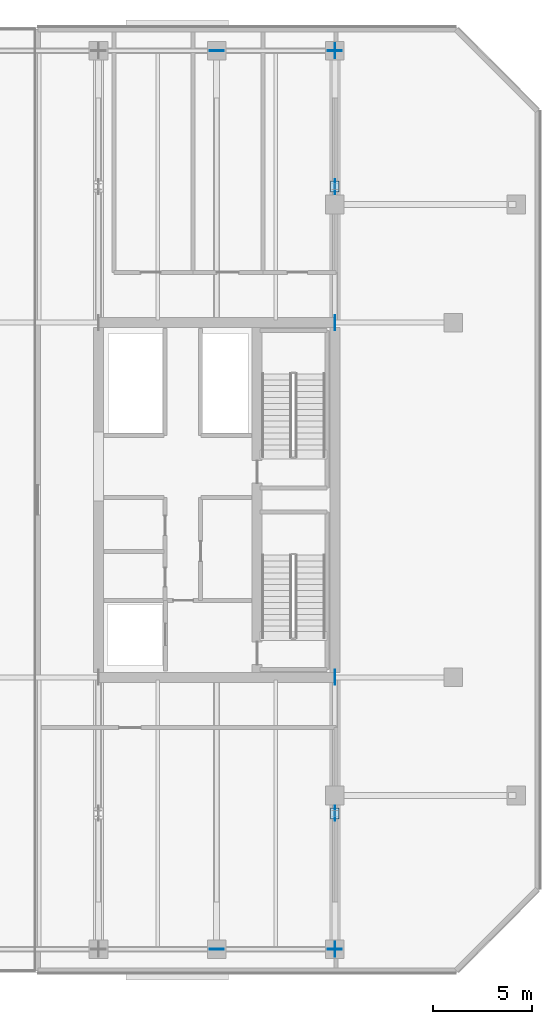
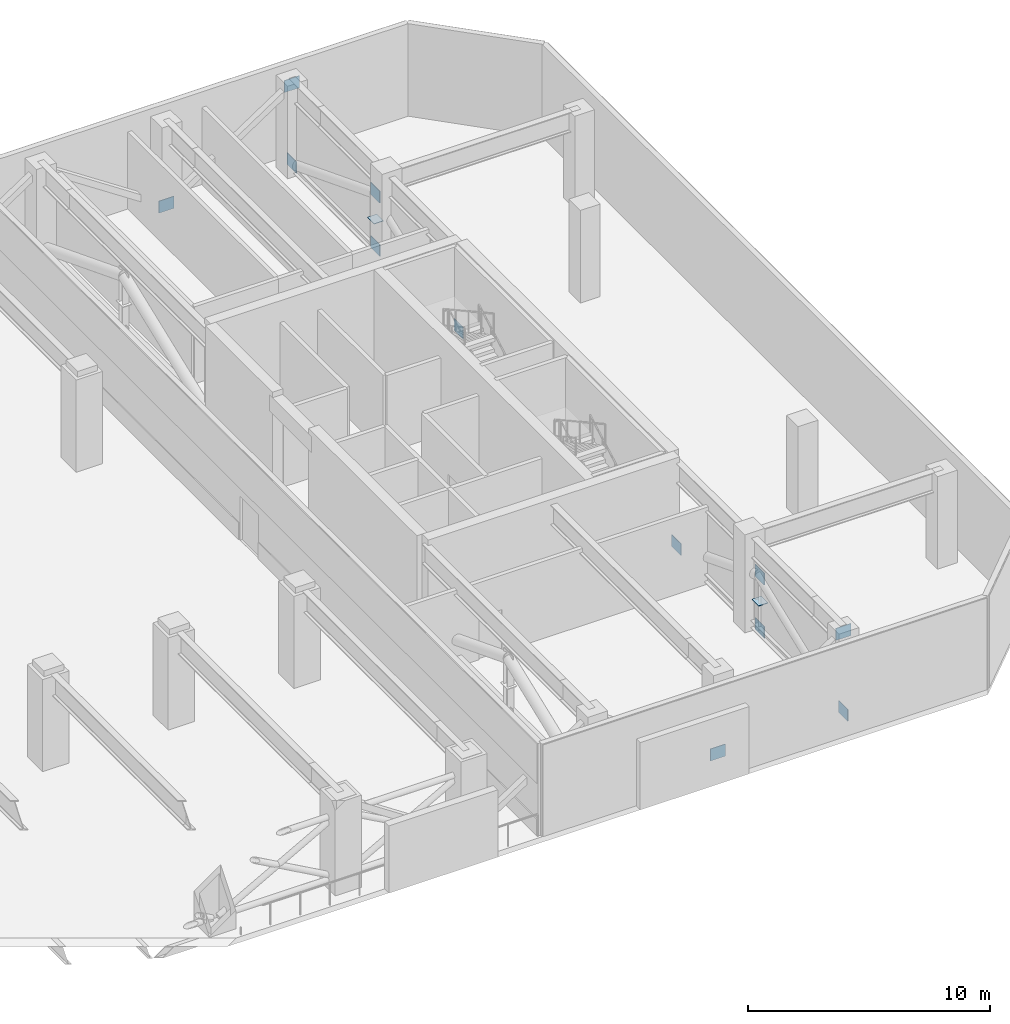
# One storey, part 12 of 21: 14 plates.
"""IFC4 building model written with IfcOpenShell, lengths in metres."""

from ifc_helpers import new_model, si_unit, direction, frame, origin, origin_2d, place, context, subcontext, project, spatial, rectangle, extrude, material, layer, layer_set, type_object, element, save


model = new_model("IFC4")

# Units and contexts
model_context = context("Model", 3, precision=1e-05, world=origin(), true_north=direction((0.0, 1.0)))
body_context = subcontext(model_context, "Body", "Model", "MODEL_VIEW")
ifc_project = project(units=[si_unit("LENGTHUNIT", "METRE"), si_unit("AREAUNIT", "SQUARE_METRE"), si_unit("VOLUMEUNIT", "CUBIC_METRE"), si_unit("PLANEANGLEUNIT", "RADIAN"), si_unit("MASSUNIT", "GRAM", prefix="KILO")], contexts=[model_context])

# Site, building, storey
site_placement = place(None, origin())
site = spatial("IfcSite", under=ifc_project, at=site_placement, CompositionType="ELEMENT")
building_placement = place(site_placement, origin())
building = spatial("IfcBuilding", under=site, at=building_placement, Name="Tanjung Sevakor Pilgrim Tower", CompositionType="ELEMENT")
storey_placement = place(building_placement, frame((0.0, 0.0, 123.090087890625)))
storey = spatial("IfcBuildingStorey", under=building, at=storey_placement, Name="L34", CompositionType="ELEMENT", Elevation=123.090087890625)

# Plates
ifc_material_1 = material(Name="Steel S460M", Category="steel")
ifc_layer_1 = layer(ifc_material_1, 0.028076171875)
ifc_layer_set_1 = layer_set([ifc_layer_1], Name="PL-CAP-28")
plate_type_1 = type_object("IfcPlateType", Name="PL-CAP-28", PredefinedType="USERDEFINED", material=ifc_layer_set_1)
for number, where, z_axis, x_axis, name in (
    (1, (90.0, 17.699951171875, 1.6806640625), (0.0, 0.0, 1.0), (1.0, 0.0, 0.0), "L34 Hollow End Cap Plate 015"),
    (2, (90.0, 49.5, 1.6806640625), (0.0, 0.0, 1.0), (1.0, 0.0, 0.0), "L34 Hollow End Cap Plate 016"),
):
    element("IfcPlate", number, at=place(storey_placement, frame(where, z_axis=z_axis, x_axis=x_axis)), inside=storey, type_object=plate_type_1, Name=name, ObjectType="CAP PLATE", PredefinedType="USERDEFINED", context=body_context, shape_type="SweptSolid", body=[
        extrude(rectangle(XDim=0.43994140625, YDim=0.56005859375, at=origin_2d()), origin(), (0.0, 0.0, 1.0), 0.028076171875),
    ])
ifc_material_2 = material(Name="Steel S460M", Category="steel")
ifc_layer_2 = layer(ifc_material_2, 0.031982421875)
ifc_layer_set_2 = layer_set([ifc_layer_2], Name="PL-GUSSET-32")
plate_type_2 = type_object("IfcPlateType", Name="PL-GUSSET-32", PredefinedType="USERDEFINED", material=ifc_layer_set_2)
for number, where, z_axis, x_axis, name in (
    (3, (90.0, 10.800048828125, 0.0498046875), (0.0, 0.0, 1.0), (1.0, 0.0, 0.0), "L34 Outrigger Gusset 075"),
    (4, (90.0, 17.699951171875, 0.0498046875), (0.0, 0.0, 1.0), (1.0, 0.0, 0.0), "L34 Outrigger Gusset 076"),
    (5, (90.0, 24.60009765625, 0.0498046875), (0.0, 0.0, 1.0), (1.0, 0.0, 0.0), "L34 Core Wall Cast-In Embed Plate 077"),
    (6, (90.0, 17.699951171875, 2.73974609375), (0.0, 0.0, 1.0), (1.0, 0.0, 0.0), "L34 Outrigger Gusset 078"),
    (7, (90.0, 42.60009765625, 0.0498046875), (0.0, 0.0, 1.0), (1.0, 0.0, 0.0), "L34 Core Wall Cast-In Embed Plate 079"),
    (8, (90.0, 49.5, 0.0498046875), (0.0, 0.0, 1.0), (1.0, 0.0, 0.0), "L34 Outrigger Gusset 080"),
    (9, (90.0, 56.39990234375, 0.0498046875), (0.0, 0.0, 1.0), (1.0, 0.0, 0.0), "L34 Outrigger Gusset 081"),
    (10, (90.0, 49.5, 2.73974609375), (0.0, 0.0, 1.0), (1.0, 0.0, 0.0), "L34 Outrigger Gusset 082"),
):
    element("IfcPlate", number, at=place(storey_placement, frame(where, z_axis=z_axis, x_axis=x_axis)), inside=storey, type_object=plate_type_2, Name=name, ObjectType="GUSSET PLATE", PredefinedType="USERDEFINED", context=body_context, shape_type="SweptSolid", body=[
        extrude(rectangle(XDim=0.031982421875, YDim=0.760009765625, at=origin_2d()), origin(), (0.0, 0.0, 1.0), 0.60009765625),
    ])
for number, where, z_axis, x_axis, name in (
    (11, (84.0, 10.800048828125, 0.0498046875), (0.0, 0.0, 1.0), (1.0, 0.0, 0.0), "L34 Belt Truss Node Gusset 090"),
    (12, (90.0, 10.800048828125, 4.035888671875), (0.0, 0.0, 1.0), (1.0, 0.0, 0.0), "L34 Belt Truss Node Gusset 091"),
    (13, (84.0, 56.39990234375, 0.0498046875), (0.0, 0.0, 1.0), (1.0, 0.0, 0.0), "L34 Belt Truss Node Gusset 099"),
    (14, (90.0, 56.39990234375, 4.035888671875), (0.0, 0.0, 1.0), (1.0, 0.0, 0.0), "L34 Belt Truss Node Gusset 100"),
):
    element("IfcPlate", number, at=place(storey_placement, frame(where, z_axis=z_axis, x_axis=x_axis)), inside=storey, type_object=plate_type_2, Name=name, ObjectType="GUSSET PLATE", PredefinedType="USERDEFINED", context=body_context, shape_type="SweptSolid", body=[
        extrude(rectangle(XDim=0.719970703125, YDim=0.031982421875, at=origin_2d()), origin(), (0.0, 0.0, 1.0), 0.60009765625),
    ])

save(model, "model.ifc")
